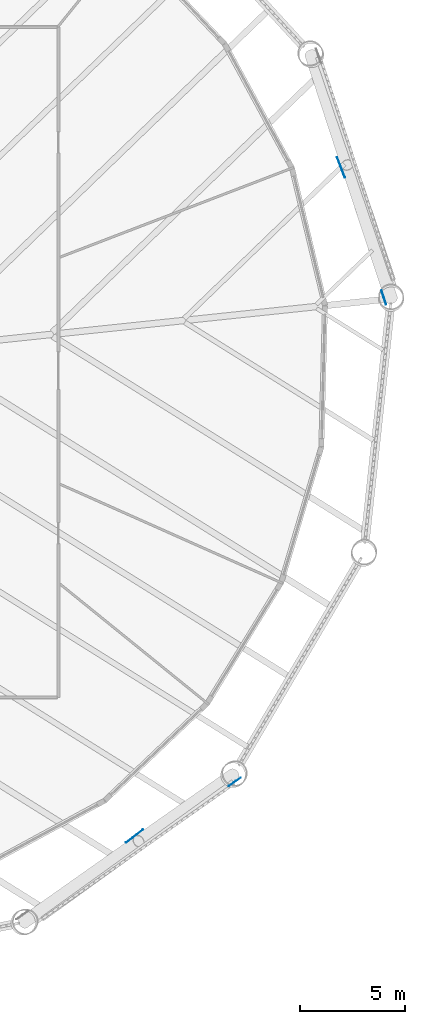
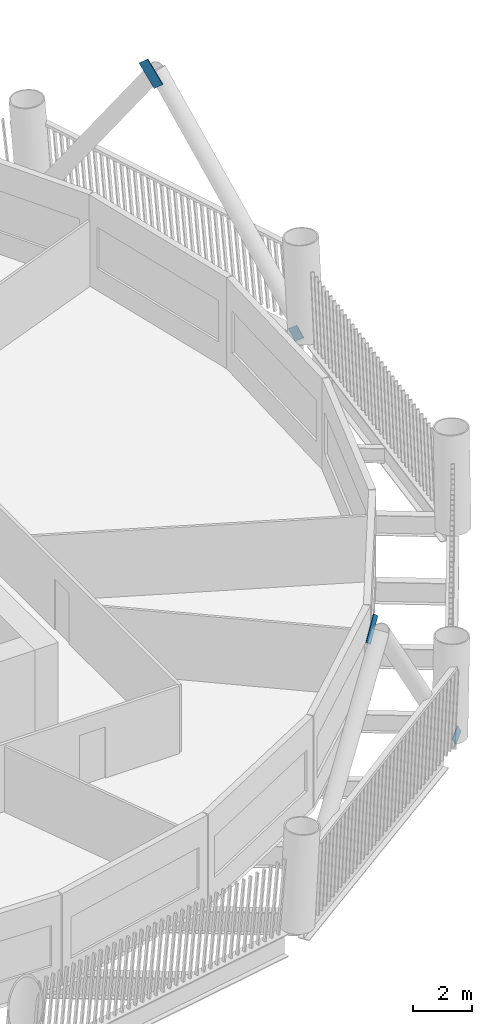
# One storey, part 11 of 22: 4 discrete accessories.
"""IFC4 building model written with IfcOpenShell, lengths in metres."""

import ifcopenshell
import ifcopenshell.guid

model = None  # the IFC model being written
_history = None  # IfcOwnerHistory: only IFC2X3 demands one
_inside = {}  # id of a spatial element -> (the spatial element, [elements in it])
_under = {}  # id of a project, library or spatial element -> (it, [spatial elements below it])
_declared = {}  # id of a project -> (the project, [libraries it declares])
_typed = {}  # id of a type object -> (the type object, [elements of that type])
_made_of = {}  # id of a material, layer set ... -> (it, [elements and type objects made of it])


def new_model(schema):
    """Start an empty IFC model of exactly this schema.

    Asked for "IFC4X3", IfcOpenShell would pick the latest addendum, in which some entities
    have other attributes; the version numbers below select the first issue.
    IFC2X3 requires an IfcOwnerHistory on every rooted entity: one is made here for all.
    """
    global model, _history
    if schema == "IFC4X3":
        model = ifcopenshell.file(schema_version=(4, 3, 0, 0))
    else:
        model = ifcopenshell.file(schema=schema)
    _inside.clear()
    _under.clear()
    _declared.clear()
    _typed.clear()
    _made_of.clear()
    _history = None
    if model.schema == "IFC2X3":
        org = make("IfcOrganization", Name="unknown")
        user = make(
            "IfcPersonAndOrganization",
            ThePerson=make("IfcPerson", FamilyName="unknown"),
            TheOrganization=org,
        )
        app = make(
            "IfcApplication",
            ApplicationDeveloper=org,
            Version="unknown",
            ApplicationFullName="unknown",
            ApplicationIdentifier="unknown",
        )
        _history = make(
            "IfcOwnerHistory",
            OwningUser=user,
            OwningApplication=app,
            ChangeAction="ADDED",
            CreationDate=0,
        )
    return model


def make(cls, **values):
    """One entity of the class cls with the attributes given. An attribute that is None is left unset."""
    return model.create_entity(
        cls, **{name: value for name, value in values.items() if value is not None}
    )


def rooted(cls, **values):
    """An entity with a GlobalId (a new one), such as an element, a storey or a relation."""
    return make(cls, GlobalId=ifcopenshell.guid.new(), OwnerHistory=_history, **values)


def si_unit(unit_type, name, prefix=None):
    """IfcSIUnit, for example si_unit("LENGTHUNIT", "METRE", prefix="MILLI")."""
    return make("IfcSIUnit", UnitType=unit_type, Prefix=prefix, Name=name)


def assignment(units):
    """IfcUnitAssignment: the units of a project."""
    return None if units is None else make("IfcUnitAssignment", Units=units)


def point(xyz):
    """IfcCartesianPoint."""
    return None if xyz is None else make("IfcCartesianPoint", Coordinates=xyz)


def direction(xyz):
    """IfcDirection."""
    return None if xyz is None else make("IfcDirection", DirectionRatios=xyz)


def frame(location, z_axis=None, x_axis=None):
    """IfcAxis2Placement3D, a coordinate frame: its origin and axes. An axis left out is left unset."""
    return make(
        "IfcAxis2Placement3D",
        Location=point(location),
        Axis=direction(z_axis),
        RefDirection=direction(x_axis),
    )


def frame_2d(location, x_axis=None):
    """IfcAxis2Placement2D, a coordinate frame in the plane: its origin and x axis."""
    return make(
        "IfcAxis2Placement2D", Location=point(location), RefDirection=direction(x_axis)
    )


def origin():
    """The frame at (0, 0, 0) with its axes left unset."""
    return frame((0.0, 0.0, 0.0))


def origin_2d():
    """The frame at (0, 0) in the plane with its x axis left unset."""
    return frame_2d((0.0, 0.0))


def place(relative_to, where):
    """IfcLocalPlacement: puts the frame where relative to a parent placement (None: the world)."""
    return make(
        "IfcLocalPlacement", PlacementRelTo=relative_to, RelativePlacement=where
    )


def context(
    kind, dimensions, precision=None, world=None, true_north=None, identifier=None
):
    """IfcGeometricRepresentationContext, for example the 3D "Model" context."""
    return make(
        "IfcGeometricRepresentationContext",
        ContextIdentifier=identifier,
        ContextType=kind,
        CoordinateSpaceDimension=dimensions,
        Precision=precision,
        WorldCoordinateSystem=world,
        TrueNorth=true_north,
    )


def subcontext(parent, identifier, kind, view, scale=None):
    """IfcGeometricRepresentationSubContext, for example "Body" below "Model"."""
    return make(
        "IfcGeometricRepresentationSubContext",
        ContextIdentifier=identifier,
        ContextType=kind,
        ParentContext=parent,
        TargetScale=scale,
        TargetView=view,
    )


def project(units=None, contexts=None):
    """IfcProject with its units and contexts."""
    return rooted(
        "IfcProject",
        Name="project",
        RepresentationContexts=contexts,
        UnitsInContext=assignment(units),
    )


def spatial(cls, under=None, at=None, **own):
    """A site, building, storey or space (cls), placed at a placement, below another one or the project."""
    s = rooted(cls, ObjectPlacement=at, **own)
    if under is not None:
        _under.setdefault(under.id(), (under, []))[1].append(s)
    return s


def profile(cls, at=None, kind="AREA", **sizes):
    """A parametric profile (cls). Its sizes go by their IFC names, for example OverallWidth=200.0."""
    return make(cls, ProfileType=kind, Position=at, **sizes)


def rectangle(**sizes):
    """IfcRectangleProfileDef."""
    return profile("IfcRectangleProfileDef", **sizes)


def extrude(swept, where, along, depth):
    """IfcExtrudedAreaSolid: the profile swept, set in the frame where, extruded along a direction by depth."""
    return make(
        "IfcExtrudedAreaSolid",
        SweptArea=swept,
        Position=where,
        ExtrudedDirection=direction(along),
        Depth=depth,
    )


def shape(context_of_items, identifier, shape_type, items):
    """IfcShapeRepresentation: the items that make up one representation, for example the "Body"."""
    return make(
        "IfcShapeRepresentation",
        ContextOfItems=context_of_items,
        RepresentationIdentifier=identifier,
        RepresentationType=shape_type,
        Items=items,
    )


def material(Name=None, Category=None):
    """IfcMaterial."""
    return make("IfcMaterial", Name=Name, Category=Category)


def material_profile(
    of_material, cross_section, Name=None, Category=None, Priority=None
):
    """IfcMaterialProfile: a cross section and its material."""
    return make(
        "IfcMaterialProfile",
        Name=Name,
        Material=of_material,
        Profile=cross_section,
        Priority=Priority,
        Category=Category,
    )


def profile_set(profiles, Name=None, composite=None):
    """IfcMaterialProfileSet."""
    return make(
        "IfcMaterialProfileSet",
        Name=Name,
        MaterialProfiles=profiles,
        CompositeProfile=composite,
    )


def made_of(thing, what):
    """Note that an element or type object is made of a material, layer set ...; save() writes the relation."""
    if what is not None:
        _made_of.setdefault(what.id(), (what, []))[1].append(thing)
    return thing


def type_object(cls, material=None, **own):
    """A type object (cls), such as IfcWallType, which elements share."""
    return made_of(rooted(cls, **own), material)


def element(
    cls,
    number,
    at=None,
    inside=None,
    cuts=None,
    type_object=None,
    material=None,
    context=None,
    identifier="Body",
    shape_type=None,
    held_by="IfcProductDefinitionShape",
    body=None,
    shapes=None,
    **own,
):
    """One element of the class cls, such as IfcWall. Its Tag is "e" and its number.

    at: its placement. inside: the storey or other place that contains it. cuts: it is an
    opening in that element (IfcRelVoidsElement). A single representation is given by context,
    identifier, shape_type and body (its items); several are given by shapes. held_by: the class
    of the entity that holds the representations. save() writes the other relations.
    """
    e = rooted(cls, Tag="e%d" % number, ObjectPlacement=at, **own)
    if body is not None:
        shapes = [shape(context, identifier, shape_type, body)]
    if shapes is not None:
        e.Representation = make(held_by, Representations=shapes)
    if inside is not None:
        _inside.setdefault(inside.id(), (inside, []))[1].append(e)
    if cuts is not None:
        rooted(
            "IfcRelVoidsElement", RelatingBuildingElement=cuts, RelatedOpeningElement=e
        )
    if type_object is not None:
        _typed.setdefault(type_object.id(), (type_object, []))[1].append(e)
    return made_of(e, material)


def aggregate(whole, parts):
    """IfcRelAggregates: a whole, such as a stair, and the parts it consists of."""
    return rooted("IfcRelAggregates", RelatingObject=whole, RelatedObjects=parts)


def save(model, path):
    """Write the relations noted so far, then the file.

    IfcRelAggregates (storeys below a building ...), IfcRelContainedInSpatialStructure (elements
    in a storey), IfcRelDefinesByType, IfcRelAssociatesMaterial and IfcRelDeclares: one each for
    every whole, place, type object, material and project.
    """
    for whole, parts in _under.values():
        aggregate(whole, parts)
    for where, things in _inside.values():
        rooted(
            "IfcRelContainedInSpatialStructure",
            RelatedElements=things,
            RelatingStructure=where,
        )
    for kind, things in _typed.values():
        rooted("IfcRelDefinesByType", RelatedObjects=things, RelatingType=kind)
    for what, things in _made_of.values():
        rooted("IfcRelAssociatesMaterial", RelatedObjects=things, RelatingMaterial=what)
    for by, libraries in _declared.values():
        rooted("IfcRelDeclares", RelatingContext=by, RelatedDefinitions=libraries)
    model.write(path)


model = new_model("IFC4")

# Units and contexts
model_context = context("Model", 3, precision=1e-05, world=origin(), true_north=direction((0.0, 1.0)))
body_context = subcontext(model_context, "Body", "Model", "MODEL_VIEW")
ifc_project = project(units=[si_unit("LENGTHUNIT", "METRE"), si_unit("AREAUNIT", "SQUARE_METRE"), si_unit("VOLUMEUNIT", "CUBIC_METRE"), si_unit("PLANEANGLEUNIT", "RADIAN"), si_unit("MASSUNIT", "GRAM", prefix="KILO")], contexts=[model_context])

# Site, building, storey
site_placement = place(None, origin())
site = spatial("IfcSite", under=ifc_project, at=site_placement, CompositionType="ELEMENT")
building_placement = place(site_placement, origin())
building = spatial("IfcBuilding", under=site, at=building_placement, Name="Tarsis Ring Headquarters", CompositionType="ELEMENT")
storey_placement = place(building_placement, frame((0.0, 0.0, 71.199951171875)))
storey = spatial("IfcBuildingStorey", under=building, at=storey_placement, Name="L15", CompositionType="ELEMENT", Elevation=71.199951171875)

# Discrete accessories
ifc_material = material(Name="Structural steel S355", Category="steel")
ifc_material_profile = material_profile(ifc_material, rectangle(XDim=0.02490234375, YDim=0.5, at=origin_2d()), Name="PL 25x500")
ifc_profile_set = profile_set([ifc_material_profile], Name="Structural steel S355")
discrete_accessory_type = type_object("IfcDiscreteAccessoryType", Name="Gusset plate Exo brace 25", PredefinedType="BRACKET", material=ifc_profile_set)
discrete_accessory_1_placement = place(storey_placement, frame((16.373779296875, -22.821533203125, 7.42333984375), z_axis=(0.520722561458, 0.401588660852, 0.753375445222), x_axis=(-0.610697053245, 0.791864324968, 0.0)))
element("IfcDiscreteAccessory", 1, at=discrete_accessory_1_placement, inside=storey, type_object=discrete_accessory_type, Name="Gusset plate GP5", PredefinedType="BRACKET", context=body_context, shape_type="SweptSolid", body=[
    extrude(rectangle(XDim=0.02490234375, YDim=0.5, at=origin_2d()), origin(), (0.0, 0.0, 1.0), 1.0),
])
for number, where, z_axis, x_axis, name in (
    (2, (21.53564453125, -19.95361328125, 0.0), (-0.473107365905, -0.332493411952, 0.815853878666), (0.574991345178, -0.818159491157, 0.0), "Gusset plate GP5"),
    (3, (28.587890625, 2.937255859375, 0.0), (-0.204114094017, 0.619666950497, 0.757859028504), (-0.949800014272, -0.312857687916, 0.0), "Gusset plate GP5"),
):
    element("IfcDiscreteAccessory", number, at=place(storey_placement, frame(where, z_axis=z_axis, x_axis=x_axis)), inside=storey, type_object=discrete_accessory_type, Name=name, PredefinedType="BRACKET", context=body_context, shape_type="SweptSolid", body=[
        extrude(rectangle(XDim=0.02490234375, YDim=0.5, at=origin_2d()), origin(), (0.0, 0.0, 1.0), 0.5),
    ])
discrete_accessory_2_placement = place(storey_placement, frame((26.607421875, 8.998779296875, 7.42333984375), z_axis=(-0.232401900939, 0.615181502485, 0.7533532209), x_axis=(-0.935472093667, -0.353400568719, 0.0)))
element("IfcDiscreteAccessory", 4, at=discrete_accessory_2_placement, inside=storey, type_object=discrete_accessory_type, Name="Gusset plate GP5", PredefinedType="BRACKET", context=body_context, shape_type="SweptSolid", body=[
    extrude(rectangle(XDim=0.02490234375, YDim=0.5, at=origin_2d()), origin(), (0.0, 0.0, 1.0), 1.0),
])

save(model, "model.ifc")
